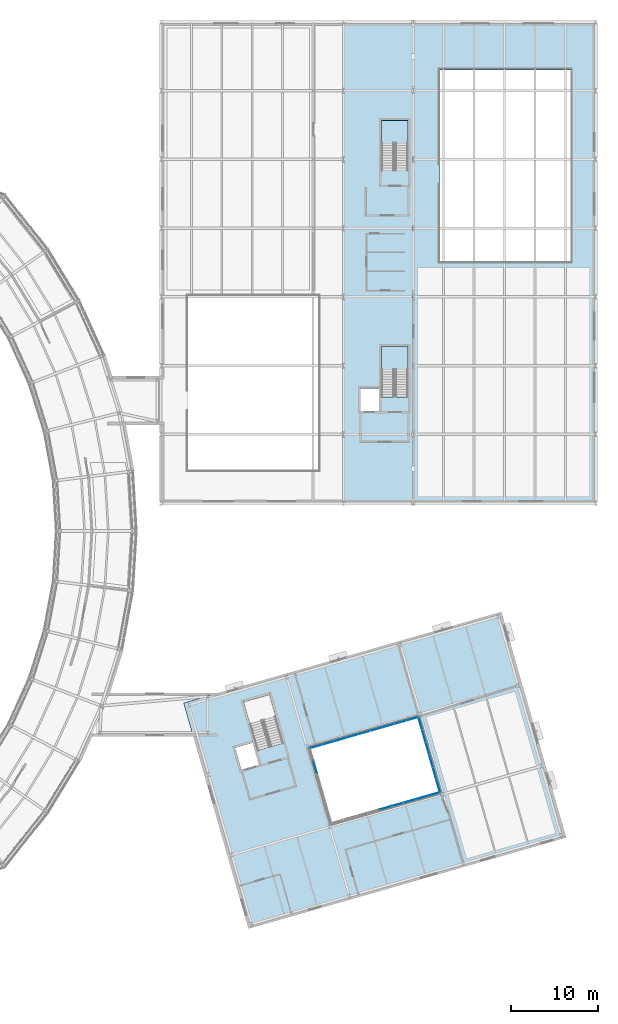
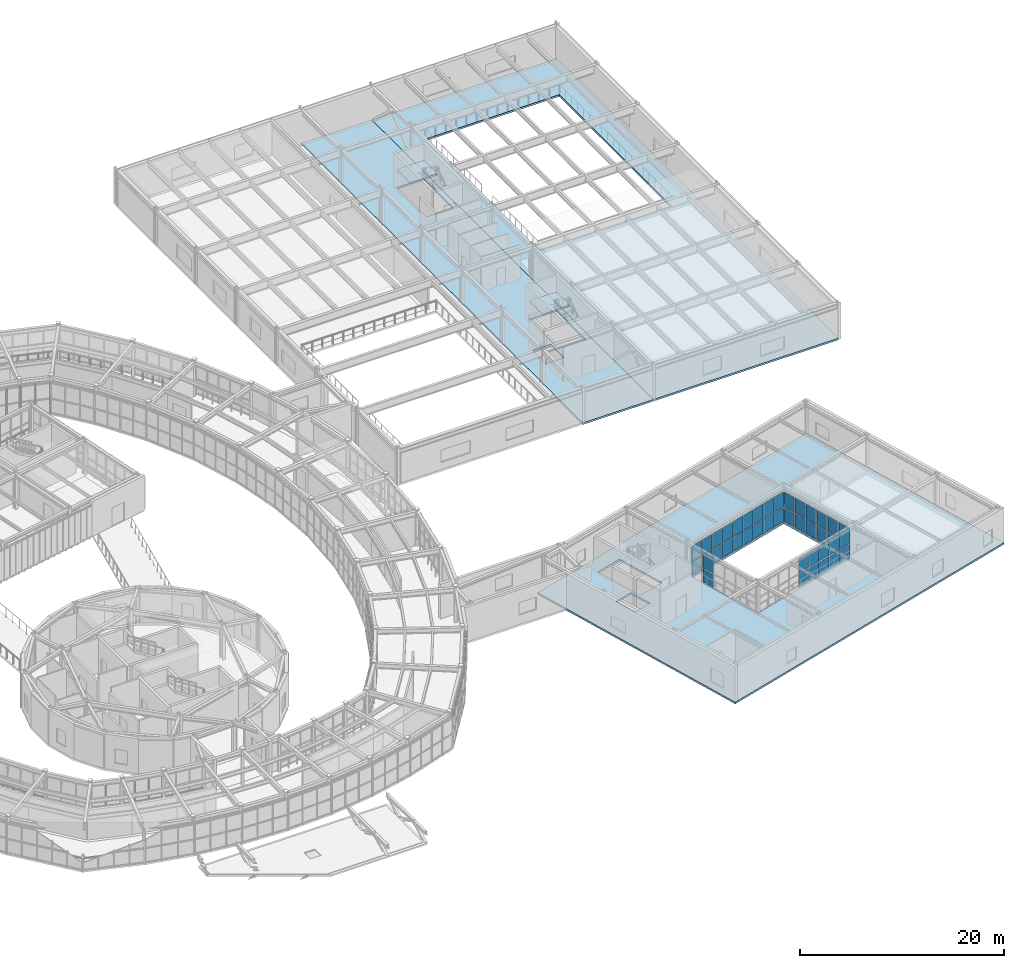
# One storey, part 68 of 103: 42 plates, 5 slabs, 6 elements without a shape of their own.
"""IFC4 building model written with IfcOpenShell, lengths in metres."""

from ifc_helpers import new_model, si_unit, direction, frame, origin, origin_2d, place, context, subcontext, project, spatial, polyline, rectangle, outline, extrude, material, layer, layer_set, type_object, element, aggregate, save


model = new_model("IFC4")

# Units and contexts
model_context = context("Model", 3, precision=1e-05, world=origin(), true_north=direction((0.0, 1.0)))
body_context = subcontext(model_context, "Body", "Model", "MODEL_VIEW")
ifc_project = project(units=[si_unit("LENGTHUNIT", "METRE"), si_unit("AREAUNIT", "SQUARE_METRE"), si_unit("VOLUMEUNIT", "CUBIC_METRE"), si_unit("PLANEANGLEUNIT", "RADIAN"), si_unit("MASSUNIT", "GRAM", prefix="KILO")], contexts=[model_context])

# Site, building, storey
site_placement = place(None, origin())
site = spatial("IfcSite", under=ifc_project, at=site_placement, CompositionType="ELEMENT")
building_placement = place(site_placement, origin())
building = spatial("IfcBuilding", under=site, at=building_placement, Name="Varnklinge Art Gallery", CompositionType="ELEMENT")
storey_placement = place(building_placement, frame((0.0, 0.0, 5.10009765625)))
storey = spatial("IfcBuildingStorey", under=building, at=storey_placement, Name="L01", CompositionType="ELEMENT", Elevation=5.10009765625)

# Curtain wall, plates
ifc_material_1 = material(Name="Anodised Aluminium", Category="aluminium")
curtain_wall_type = type_object("IfcCurtainWallType", Name="CW-C02", PredefinedType="USERDEFINED", material=ifc_material_1)
curtain_wall_1_placement = place(storey_placement, origin())
curtain_wall_1 = element("IfcCurtainWall", 1, at=curtain_wall_1_placement, inside=storey, type_object=curtain_wall_type, Name="L01 Curtain Wall CW-V6C-L01-1", ObjectType="UNITISED CURTAIN WALL", PredefinedType="USERDEFINED")
ifc_material_2 = material(Name="Insulated Low-E Triple Glazing", Category="glass")
ifc_layer_1 = layer(ifc_material_2, 0.031982421875)
ifc_layer_set_1 = layer_set([ifc_layer_1], Name="Insulated Low-E Triple Glazing")
plate_type = type_object("IfcPlateType", Name="GLZ-32", PredefinedType="CURTAIN_PANEL", material=ifc_layer_set_1)
plate_1_placement = place(storey_placement, frame((145.77978515625, 24.7626953125, 0.117919921875), z_axis=(0.0, 0.0, 1.0), x_axis=(-0.961261695938, -0.275637355817, 0.0)))
plate_1 = element("IfcPlate", 2, at=plate_1_placement, type_object=plate_type, Name="CW-V6C-L01-1 Glazing Panel 1.1", PredefinedType="CURTAIN_PANEL", context=body_context, shape_type="SweptSolid", body=[
    extrude(rectangle(XDim=1.3583984375, YDim=0.031982421875, at=origin_2d()), origin(), (0.0, 0.0, 1.0), 1.6240234375),
])
plate_2_placement = place(storey_placement, frame((145.77978515625, 24.7626953125, 1.85791015625), z_axis=(0.0, 0.0, 1.0), x_axis=(-0.961261695938, -0.275637355817, 0.0)))
plate_2 = element("IfcPlate", 3, at=plate_2_placement, type_object=plate_type, Name="CW-V6C-L01-1 Glazing Panel 1.2", PredefinedType="CURTAIN_PANEL", context=body_context, shape_type="SweptSolid", body=[
    extrude(rectangle(XDim=1.3583984375, YDim=0.031982421875, at=origin_2d()), origin(), (0.0, 0.0, 1.0), 1.77392578125),
])
plate_3_placement = place(storey_placement, frame((144.406005859375, 24.368896484375, 0.117919921875), z_axis=(0.0, 0.0, 1.0), x_axis=(-0.961261695938, -0.275637355817, 0.0)))
plate_3 = element("IfcPlate", 4, at=plate_3_placement, type_object=plate_type, Name="CW-V6C-L01-1 Glazing Panel 2.1", PredefinedType="CURTAIN_PANEL", context=body_context, shape_type="SweptSolid", body=[
    extrude(rectangle(XDim=1.388427734375, YDim=0.031982421875, at=origin_2d()), origin(), (0.0, 0.0, 1.0), 1.6240234375),
])
plate_4_placement = place(storey_placement, frame((144.406005859375, 24.368896484375, 1.85791015625), z_axis=(0.0, 0.0, 1.0), x_axis=(-0.961261695938, -0.275637355817, 0.0)))
plate_4 = element("IfcPlate", 5, at=plate_4_placement, type_object=plate_type, Name="CW-V6C-L01-1 Glazing Panel 2.2", PredefinedType="CURTAIN_PANEL", context=body_context, shape_type="SweptSolid", body=[
    extrude(rectangle(XDim=1.388427734375, YDim=0.031982421875, at=origin_2d()), origin(), (0.0, 0.0, 1.0), 1.77392578125),
])
plate_5_placement = place(storey_placement, frame((143.017333984375, 23.970703125, 0.117919921875), z_axis=(0.0, 0.0, 1.0), x_axis=(-0.961261695938, -0.275637355817, 0.0)))
plate_5 = element("IfcPlate", 6, at=plate_5_placement, type_object=plate_type, Name="CW-V6C-L01-1 Glazing Panel 3.1", PredefinedType="CURTAIN_PANEL", context=body_context, shape_type="SweptSolid", body=[
    extrude(rectangle(XDim=1.388427734375, YDim=0.031982421875, at=origin_2d()), origin(), (0.0, 0.0, 1.0), 1.6240234375),
])
plate_6_placement = place(storey_placement, frame((143.017333984375, 23.970703125, 1.85791015625), z_axis=(0.0, 0.0, 1.0), x_axis=(-0.961261695938, -0.275637355817, 0.0)))
plate_6 = element("IfcPlate", 7, at=plate_6_placement, type_object=plate_type, Name="CW-V6C-L01-1 Glazing Panel 3.2", PredefinedType="CURTAIN_PANEL", context=body_context, shape_type="SweptSolid", body=[
    extrude(rectangle(XDim=1.388427734375, YDim=0.031982421875, at=origin_2d()), origin(), (0.0, 0.0, 1.0), 1.77392578125),
])
plate_7_placement = place(storey_placement, frame((141.62890625, 23.572509765625, 0.117919921875), z_axis=(0.0, 0.0, 1.0), x_axis=(-0.961261695938, -0.275637355817, 0.0)))
plate_7 = element("IfcPlate", 8, at=plate_7_placement, type_object=plate_type, Name="CW-V6C-L01-1 Glazing Panel 4.1", PredefinedType="CURTAIN_PANEL", context=body_context, shape_type="SweptSolid", body=[
    extrude(rectangle(XDim=1.388427734375, YDim=0.031982421875, at=origin_2d()), origin(), (0.0, 0.0, 1.0), 1.6240234375),
])
plate_8_placement = place(storey_placement, frame((141.62890625, 23.572509765625, 1.85791015625), z_axis=(0.0, 0.0, 1.0), x_axis=(-0.961261695938, -0.275637355817, 0.0)))
plate_8 = element("IfcPlate", 9, at=plate_8_placement, type_object=plate_type, Name="CW-V6C-L01-1 Glazing Panel 4.2", PredefinedType="CURTAIN_PANEL", context=body_context, shape_type="SweptSolid", body=[
    extrude(rectangle(XDim=1.388427734375, YDim=0.031982421875, at=origin_2d()), origin(), (0.0, 0.0, 1.0), 1.77392578125),
])
plate_9_placement = place(storey_placement, frame((140.240478515625, 23.17431640625, 0.117919921875), z_axis=(0.0, 0.0, 1.0), x_axis=(-0.961261695938, -0.275637355817, 0.0)))
plate_9 = element("IfcPlate", 10, at=plate_9_placement, type_object=plate_type, Name="CW-V6C-L01-1 Glazing Panel 5.1", PredefinedType="CURTAIN_PANEL", context=body_context, shape_type="SweptSolid", body=[
    extrude(rectangle(XDim=1.388427734375, YDim=0.031982421875, at=origin_2d()), origin(), (0.0, 0.0, 1.0), 1.6240234375),
])
plate_10_placement = place(storey_placement, frame((140.240478515625, 23.17431640625, 1.85791015625), z_axis=(0.0, 0.0, 1.0), x_axis=(-0.961261695938, -0.275637355817, 0.0)))
plate_10 = element("IfcPlate", 11, at=plate_10_placement, type_object=plate_type, Name="CW-V6C-L01-1 Glazing Panel 5.2", PredefinedType="CURTAIN_PANEL", context=body_context, shape_type="SweptSolid", body=[
    extrude(rectangle(XDim=1.388427734375, YDim=0.031982421875, at=origin_2d()), origin(), (0.0, 0.0, 1.0), 1.77392578125),
])
aggregate(curtain_wall_1, [plate_1, plate_2, plate_3, plate_4, plate_5, plate_6, plate_7, plate_8, plate_9, plate_10])

curtain_wall_2_placement = place(storey_placement, origin())
curtain_wall_2 = element("IfcCurtainWall", 12, at=curtain_wall_2_placement, inside=storey, type_object=curtain_wall_type, Name="L01 Curtain Wall CW-V6C-L01-2", ObjectType="UNITISED CURTAIN WALL", PredefinedType="USERDEFINED")
plate_11_placement = place(storey_placement, frame((144.21875, 32.8818359375, 0.117919921875), z_axis=(0.0, 0.0, 1.0), x_axis=(0.275637355817, -0.961261695938, 0.0)))
plate_11 = element("IfcPlate", 13, at=plate_11_placement, type_object=plate_type, Name="CW-V6C-L01-2 Glazing Panel 1.1", PredefinedType="CURTAIN_PANEL", context=body_context, shape_type="SweptSolid", body=[
    extrude(rectangle(XDim=1.4140625, YDim=0.031982421875, at=origin_2d()), origin(), (0.0, 0.0, 1.0), 1.6240234375),
])
plate_12_placement = place(storey_placement, frame((144.21875, 32.8818359375, 1.85791015625), z_axis=(0.0, 0.0, 1.0), x_axis=(0.275637355817, -0.961261695938, 0.0)))
plate_12 = element("IfcPlate", 14, at=plate_12_placement, type_object=plate_type, Name="CW-V6C-L01-2 Glazing Panel 1.2", PredefinedType="CURTAIN_PANEL", context=body_context, shape_type="SweptSolid", body=[
    extrude(rectangle(XDim=1.4140625, YDim=0.031982421875, at=origin_2d()), origin(), (0.0, 0.0, 1.0), 1.77392578125),
])
plate_13_placement = place(storey_placement, frame((144.6279296875, 31.45458984375, 0.117919921875), z_axis=(0.0, 0.0, 1.0), x_axis=(0.275637355817, -0.961261695938, 0.0)))
plate_13 = element("IfcPlate", 15, at=plate_13_placement, type_object=plate_type, Name="CW-V6C-L01-2 Glazing Panel 2.1", PredefinedType="CURTAIN_PANEL", context=body_context, shape_type="SweptSolid", body=[
    extrude(rectangle(XDim=1.444091796875, YDim=0.031982421875, at=origin_2d()), origin(), (0.0, 0.0, 1.0), 1.6240234375),
])
plate_14_placement = place(storey_placement, frame((144.6279296875, 31.45458984375, 1.85791015625), z_axis=(0.0, 0.0, 1.0), x_axis=(0.275637355817, -0.961261695938, 0.0)))
plate_14 = element("IfcPlate", 16, at=plate_14_placement, type_object=plate_type, Name="CW-V6C-L01-2 Glazing Panel 2.2", PredefinedType="CURTAIN_PANEL", context=body_context, shape_type="SweptSolid", body=[
    extrude(rectangle(XDim=1.444091796875, YDim=0.031982421875, at=origin_2d()), origin(), (0.0, 0.0, 1.0), 1.77392578125),
])
plate_15_placement = place(storey_placement, frame((145.04150390625, 30.0126953125, 0.117919921875), z_axis=(0.0, 0.0, 1.0), x_axis=(0.275637355817, -0.961261695938, 0.0)))
plate_15 = element("IfcPlate", 17, at=plate_15_placement, type_object=plate_type, Name="CW-V6C-L01-2 Glazing Panel 3.1", PredefinedType="CURTAIN_PANEL", context=body_context, shape_type="SweptSolid", body=[
    extrude(rectangle(XDim=1.444091796875, YDim=0.031982421875, at=origin_2d()), origin(), (0.0, 0.0, 1.0), 1.6240234375),
])
plate_16_placement = place(storey_placement, frame((145.04150390625, 30.0126953125, 1.85791015625), z_axis=(0.0, 0.0, 1.0), x_axis=(0.275637355817, -0.961261695938, 0.0)))
plate_16 = element("IfcPlate", 18, at=plate_16_placement, type_object=plate_type, Name="CW-V6C-L01-2 Glazing Panel 3.2", PredefinedType="CURTAIN_PANEL", context=body_context, shape_type="SweptSolid", body=[
    extrude(rectangle(XDim=1.444091796875, YDim=0.031982421875, at=origin_2d()), origin(), (0.0, 0.0, 1.0), 1.77392578125),
])
plate_17_placement = place(storey_placement, frame((145.454833984375, 28.57080078125, 0.117919921875), z_axis=(0.0, 0.0, 1.0), x_axis=(0.275637355817, -0.961261695938, 0.0)))
plate_17 = element("IfcPlate", 19, at=plate_17_placement, type_object=plate_type, Name="CW-V6C-L01-2 Glazing Panel 4.1", PredefinedType="CURTAIN_PANEL", context=body_context, shape_type="SweptSolid", body=[
    extrude(rectangle(XDim=1.444091796875, YDim=0.031982421875, at=origin_2d()), origin(), (0.0, 0.0, 1.0), 1.6240234375),
])
plate_18_placement = place(storey_placement, frame((145.454833984375, 28.57080078125, 1.85791015625), z_axis=(0.0, 0.0, 1.0), x_axis=(0.275637355817, -0.961261695938, 0.0)))
plate_18 = element("IfcPlate", 20, at=plate_18_placement, type_object=plate_type, Name="CW-V6C-L01-2 Glazing Panel 4.2", PredefinedType="CURTAIN_PANEL", context=body_context, shape_type="SweptSolid", body=[
    extrude(rectangle(XDim=1.444091796875, YDim=0.031982421875, at=origin_2d()), origin(), (0.0, 0.0, 1.0), 1.77392578125),
])
plate_19_placement = place(storey_placement, frame((145.868408203125, 27.12890625, 0.117919921875), z_axis=(0.0, 0.0, 1.0), x_axis=(0.275637355817, -0.961261695938, 0.0)))
plate_19 = element("IfcPlate", 21, at=plate_19_placement, type_object=plate_type, Name="CW-V6C-L01-2 Glazing Panel 5.1", PredefinedType="CURTAIN_PANEL", context=body_context, shape_type="SweptSolid", body=[
    extrude(rectangle(XDim=1.444091796875, YDim=0.031982421875, at=origin_2d()), origin(), (0.0, 0.0, 1.0), 1.6240234375),
])
plate_20_placement = place(storey_placement, frame((145.868408203125, 27.12890625, 1.85791015625), z_axis=(0.0, 0.0, 1.0), x_axis=(0.275637355817, -0.961261695938, 0.0)))
plate_20 = element("IfcPlate", 22, at=plate_20_placement, type_object=plate_type, Name="CW-V6C-L01-2 Glazing Panel 5.2", PredefinedType="CURTAIN_PANEL", context=body_context, shape_type="SweptSolid", body=[
    extrude(rectangle(XDim=1.444091796875, YDim=0.031982421875, at=origin_2d()), origin(), (0.0, 0.0, 1.0), 1.77392578125),
])
plate_21_placement = place(storey_placement, frame((146.277587890625, 25.701416015625, 0.117919921875), z_axis=(0.0, 0.0, 1.0), x_axis=(0.275637355817, -0.961261695938, 0.0)))
plate_21 = element("IfcPlate", 23, at=plate_21_placement, type_object=plate_type, Name="CW-V6C-L01-2 Glazing Panel 6.1", PredefinedType="CURTAIN_PANEL", context=body_context, shape_type="SweptSolid", body=[
    extrude(rectangle(XDim=1.4140625, YDim=0.031982421875, at=origin_2d()), origin(), (0.0, 0.0, 1.0), 1.6240234375),
])
plate_22_placement = place(storey_placement, frame((146.277587890625, 25.701416015625, 1.85791015625), z_axis=(0.0, 0.0, 1.0), x_axis=(0.275637355817, -0.961261695938, 0.0)))
plate_22 = element("IfcPlate", 24, at=plate_22_placement, type_object=plate_type, Name="CW-V6C-L01-2 Glazing Panel 6.2", PredefinedType="CURTAIN_PANEL", context=body_context, shape_type="SweptSolid", body=[
    extrude(rectangle(XDim=1.4140625, YDim=0.031982421875, at=origin_2d()), origin(), (0.0, 0.0, 1.0), 1.77392578125),
])
aggregate(curtain_wall_2, [plate_11, plate_12, plate_13, plate_14, plate_15, plate_16, plate_17, plate_18, plate_19, plate_20, plate_21, plate_22])

curtain_wall_3_placement = place(storey_placement, origin())
curtain_wall_3 = element("IfcCurtainWall", 25, at=curtain_wall_3_placement, inside=storey, type_object=curtain_wall_type, Name="L01 Curtain Wall CW-V6C-L01-3", ObjectType="UNITISED CURTAIN WALL", PredefinedType="USERDEFINED")
plate_23_placement = place(storey_placement, frame((132.22021484375, 30.2373046875, 0.117919921875), z_axis=(0.0, 0.0, 1.0), x_axis=(0.961261695938, 0.275637355817, 0.0)))
plate_23 = element("IfcPlate", 26, at=plate_23_placement, type_object=plate_type, Name="CW-V6C-L01-3 Glazing Panel 1.1", PredefinedType="CURTAIN_PANEL", context=body_context, shape_type="SweptSolid", body=[
    extrude(rectangle(XDim=1.3583984375, YDim=0.031982421875, at=origin_2d()), origin(), (0.0, 0.0, 1.0), 1.6240234375),
])
plate_24_placement = place(storey_placement, frame((132.22021484375, 30.2373046875, 1.85791015625), z_axis=(0.0, 0.0, 1.0), x_axis=(0.961261695938, 0.275637355817, 0.0)))
plate_24 = element("IfcPlate", 27, at=plate_24_placement, type_object=plate_type, Name="CW-V6C-L01-3 Glazing Panel 1.2", PredefinedType="CURTAIN_PANEL", context=body_context, shape_type="SweptSolid", body=[
    extrude(rectangle(XDim=1.3583984375, YDim=0.031982421875, at=origin_2d()), origin(), (0.0, 0.0, 1.0), 1.77392578125),
])
plate_25_placement = place(storey_placement, frame((133.593994140625, 30.631103515625, 0.117919921875), z_axis=(0.0, 0.0, 1.0), x_axis=(0.961261695938, 0.275637355817, 0.0)))
plate_25 = element("IfcPlate", 28, at=plate_25_placement, type_object=plate_type, Name="CW-V6C-L01-3 Glazing Panel 2.1", PredefinedType="CURTAIN_PANEL", context=body_context, shape_type="SweptSolid", body=[
    extrude(rectangle(XDim=1.388427734375, YDim=0.031982421875, at=origin_2d()), origin(), (0.0, 0.0, 1.0), 1.6240234375),
])
plate_26_placement = place(storey_placement, frame((133.593994140625, 30.631103515625, 1.85791015625), z_axis=(0.0, 0.0, 1.0), x_axis=(0.961261695938, 0.275637355817, 0.0)))
plate_26 = element("IfcPlate", 29, at=plate_26_placement, type_object=plate_type, Name="CW-V6C-L01-3 Glazing Panel 2.2", PredefinedType="CURTAIN_PANEL", context=body_context, shape_type="SweptSolid", body=[
    extrude(rectangle(XDim=1.388427734375, YDim=0.031982421875, at=origin_2d()), origin(), (0.0, 0.0, 1.0), 1.77392578125),
])
plate_27_placement = place(storey_placement, frame((134.982666015625, 31.029296875, 0.117919921875), z_axis=(0.0, 0.0, 1.0), x_axis=(0.961261695938, 0.275637355817, 0.0)))
plate_27 = element("IfcPlate", 30, at=plate_27_placement, type_object=plate_type, Name="CW-V6C-L01-3 Glazing Panel 3.1", PredefinedType="CURTAIN_PANEL", context=body_context, shape_type="SweptSolid", body=[
    extrude(rectangle(XDim=1.388427734375, YDim=0.031982421875, at=origin_2d()), origin(), (0.0, 0.0, 1.0), 1.6240234375),
])
plate_28_placement = place(storey_placement, frame((134.982666015625, 31.029296875, 1.85791015625), z_axis=(0.0, 0.0, 1.0), x_axis=(0.961261695938, 0.275637355817, 0.0)))
plate_28 = element("IfcPlate", 31, at=plate_28_placement, type_object=plate_type, Name="CW-V6C-L01-3 Glazing Panel 3.2", PredefinedType="CURTAIN_PANEL", context=body_context, shape_type="SweptSolid", body=[
    extrude(rectangle(XDim=1.388427734375, YDim=0.031982421875, at=origin_2d()), origin(), (0.0, 0.0, 1.0), 1.77392578125),
])
plate_29_placement = place(storey_placement, frame((136.37109375, 31.427490234375, 0.117919921875), z_axis=(0.0, 0.0, 1.0), x_axis=(0.961261695938, 0.275637355817, 0.0)))
plate_29 = element("IfcPlate", 32, at=plate_29_placement, type_object=plate_type, Name="CW-V6C-L01-3 Glazing Panel 4.1", PredefinedType="CURTAIN_PANEL", context=body_context, shape_type="SweptSolid", body=[
    extrude(rectangle(XDim=1.388427734375, YDim=0.031982421875, at=origin_2d()), origin(), (0.0, 0.0, 1.0), 1.6240234375),
])
plate_30_placement = place(storey_placement, frame((136.37109375, 31.427490234375, 1.85791015625), z_axis=(0.0, 0.0, 1.0), x_axis=(0.961261695938, 0.275637355817, 0.0)))
plate_30 = element("IfcPlate", 33, at=plate_30_placement, type_object=plate_type, Name="CW-V6C-L01-3 Glazing Panel 4.2", PredefinedType="CURTAIN_PANEL", context=body_context, shape_type="SweptSolid", body=[
    extrude(rectangle(XDim=1.388427734375, YDim=0.031982421875, at=origin_2d()), origin(), (0.0, 0.0, 1.0), 1.77392578125),
])
plate_31_placement = place(storey_placement, frame((137.759521484375, 31.82568359375, 0.117919921875), z_axis=(0.0, 0.0, 1.0), x_axis=(0.961261695938, 0.275637355817, 0.0)))
plate_31 = element("IfcPlate", 34, at=plate_31_placement, type_object=plate_type, Name="CW-V6C-L01-3 Glazing Panel 5.1", PredefinedType="CURTAIN_PANEL", context=body_context, shape_type="SweptSolid", body=[
    extrude(rectangle(XDim=1.388427734375, YDim=0.031982421875, at=origin_2d()), origin(), (0.0, 0.0, 1.0), 1.6240234375),
])
plate_32_placement = place(storey_placement, frame((137.759521484375, 31.82568359375, 1.85791015625), z_axis=(0.0, 0.0, 1.0), x_axis=(0.961261695938, 0.275637355817, 0.0)))
plate_32 = element("IfcPlate", 35, at=plate_32_placement, type_object=plate_type, Name="CW-V6C-L01-3 Glazing Panel 5.2", PredefinedType="CURTAIN_PANEL", context=body_context, shape_type="SweptSolid", body=[
    extrude(rectangle(XDim=1.388427734375, YDim=0.031982421875, at=origin_2d()), origin(), (0.0, 0.0, 1.0), 1.77392578125),
])
plate_33_placement = place(storey_placement, frame((139.148193359375, 32.223876953125, 0.117919921875), z_axis=(0.0, 0.0, 1.0), x_axis=(0.961261695938, 0.275637355817, 0.0)))
plate_33 = element("IfcPlate", 36, at=plate_33_placement, type_object=plate_type, Name="CW-V6C-L01-3 Glazing Panel 6.1", PredefinedType="CURTAIN_PANEL", context=body_context, shape_type="SweptSolid", body=[
    extrude(rectangle(XDim=1.388427734375, YDim=0.031982421875, at=origin_2d()), origin(), (0.0, 0.0, 1.0), 1.6240234375),
])
plate_34_placement = place(storey_placement, frame((139.148193359375, 32.223876953125, 1.85791015625), z_axis=(0.0, 0.0, 1.0), x_axis=(0.961261695938, 0.275637355817, 0.0)))
plate_34 = element("IfcPlate", 37, at=plate_34_placement, type_object=plate_type, Name="CW-V6C-L01-3 Glazing Panel 6.2", PredefinedType="CURTAIN_PANEL", context=body_context, shape_type="SweptSolid", body=[
    extrude(rectangle(XDim=1.388427734375, YDim=0.031982421875, at=origin_2d()), origin(), (0.0, 0.0, 1.0), 1.77392578125),
])
plate_35_placement = place(storey_placement, frame((140.53662109375, 32.621826171875, 0.117919921875), z_axis=(0.0, 0.0, 1.0), x_axis=(0.961261695938, 0.275637355817, 0.0)))
plate_35 = element("IfcPlate", 38, at=plate_35_placement, type_object=plate_type, Name="CW-V6C-L01-3 Glazing Panel 7.1", PredefinedType="CURTAIN_PANEL", context=body_context, shape_type="SweptSolid", body=[
    extrude(rectangle(XDim=1.388427734375, YDim=0.031982421875, at=origin_2d()), origin(), (0.0, 0.0, 1.0), 1.6240234375),
])
plate_36_placement = place(storey_placement, frame((140.53662109375, 32.621826171875, 1.85791015625), z_axis=(0.0, 0.0, 1.0), x_axis=(0.961261695938, 0.275637355817, 0.0)))
plate_36 = element("IfcPlate", 39, at=plate_36_placement, type_object=plate_type, Name="CW-V6C-L01-3 Glazing Panel 7.2", PredefinedType="CURTAIN_PANEL", context=body_context, shape_type="SweptSolid", body=[
    extrude(rectangle(XDim=1.388427734375, YDim=0.031982421875, at=origin_2d()), origin(), (0.0, 0.0, 1.0), 1.77392578125),
])
plate_37_placement = place(storey_placement, frame((141.925048828125, 33.02001953125, 0.117919921875), z_axis=(0.0, 0.0, 1.0), x_axis=(0.961261695938, 0.275637355817, 0.0)))
plate_37 = element("IfcPlate", 40, at=plate_37_placement, type_object=plate_type, Name="CW-V6C-L01-3 Glazing Panel 8.1", PredefinedType="CURTAIN_PANEL", context=body_context, shape_type="SweptSolid", body=[
    extrude(rectangle(XDim=1.388427734375, YDim=0.031982421875, at=origin_2d()), origin(), (0.0, 0.0, 1.0), 1.6240234375),
])
plate_38_placement = place(storey_placement, frame((141.925048828125, 33.02001953125, 1.85791015625), z_axis=(0.0, 0.0, 1.0), x_axis=(0.961261695938, 0.275637355817, 0.0)))
plate_38 = element("IfcPlate", 41, at=plate_38_placement, type_object=plate_type, Name="CW-V6C-L01-3 Glazing Panel 8.2", PredefinedType="CURTAIN_PANEL", context=body_context, shape_type="SweptSolid", body=[
    extrude(rectangle(XDim=1.388427734375, YDim=0.031982421875, at=origin_2d()), origin(), (0.0, 0.0, 1.0), 1.77392578125),
])
plate_39_placement = place(storey_placement, frame((143.299072265625, 33.4140625, 0.117919921875), z_axis=(0.0, 0.0, 1.0), x_axis=(0.961261695938, 0.275637355817, 0.0)))
plate_39 = element("IfcPlate", 42, at=plate_39_placement, type_object=plate_type, Name="CW-V6C-L01-3 Glazing Panel 9.1", PredefinedType="CURTAIN_PANEL", context=body_context, shape_type="SweptSolid", body=[
    extrude(rectangle(XDim=1.3583984375, YDim=0.031982421875, at=origin_2d()), origin(), (0.0, 0.0, 1.0), 1.6240234375),
])
plate_40_placement = place(storey_placement, frame((143.299072265625, 33.4140625, 1.85791015625), z_axis=(0.0, 0.0, 1.0), x_axis=(0.961261695938, 0.275637355817, 0.0)))
plate_40 = element("IfcPlate", 43, at=plate_40_placement, type_object=plate_type, Name="CW-V6C-L01-3 Glazing Panel 9.2", PredefinedType="CURTAIN_PANEL", context=body_context, shape_type="SweptSolid", body=[
    extrude(rectangle(XDim=1.3583984375, YDim=0.031982421875, at=origin_2d()), origin(), (0.0, 0.0, 1.0), 1.77392578125),
])
aggregate(curtain_wall_3, [plate_23, plate_24, plate_25, plate_26, plate_27, plate_28, plate_29, plate_30, plate_31, plate_32, plate_33, plate_34, plate_35, plate_36, plate_37, plate_38, plate_39, plate_40])

curtain_wall_4_placement = place(storey_placement, origin())
curtain_wall_4 = element("IfcCurtainWall", 44, at=curtain_wall_4_placement, inside=storey, type_object=curtain_wall_type, Name="L01 Curtain Wall CW-V6C-L01-4", ObjectType="UNITISED CURTAIN WALL", PredefinedType="USERDEFINED")
plate_41_placement = place(storey_placement, frame((132.131591796875, 27.87109375, 0.117919921875), z_axis=(0.0, 0.0, 1.0), x_axis=(-0.275637355817, 0.961261695938, 0.0)))
plate_41 = element("IfcPlate", 45, at=plate_41_placement, type_object=plate_type, Name="CW-V6C-L01-4 Glazing Panel 5.1", PredefinedType="CURTAIN_PANEL", context=body_context, shape_type="SweptSolid", body=[
    extrude(rectangle(XDim=1.444091796875, YDim=0.031982421875, at=origin_2d()), origin(), (0.0, 0.0, 1.0), 1.6240234375),
])
plate_42_placement = place(storey_placement, frame((132.131591796875, 27.87109375, 1.85791015625), z_axis=(0.0, 0.0, 1.0), x_axis=(-0.275637355817, 0.961261695938, 0.0)))
plate_42 = element("IfcPlate", 46, at=plate_42_placement, type_object=plate_type, Name="CW-V6C-L01-4 Glazing Panel 5.2", PredefinedType="CURTAIN_PANEL", context=body_context, shape_type="SweptSolid", body=[
    extrude(rectangle(XDim=1.444091796875, YDim=0.031982421875, at=origin_2d()), origin(), (0.0, 0.0, 1.0), 1.77392578125),
])
aggregate(curtain_wall_4, [plate_41, plate_42])

# Slabs
ifc_material_3 = material(Name="Concrete C35/45", Category="concrete")
ifc_layer_2 = layer(ifc_material_3, 0.219970703125)
ifc_layer_set_2 = layer_set([ifc_layer_2], Name="Concrete C35/45")
slab_type_1 = type_object("IfcSlabType", Name="SLB-F22", PredefinedType="FLOOR", material=ifc_layer_set_2)
slab_1_placement = place(storey_placement, frame((0.0, 0.0, -0.22021484375)))
element("IfcSlab", 47, at=slab_1_placement, inside=storey, type_object=slab_type_1, Name="L01 Shell Hall S Floor Slab", PredefinedType="FLOOR", context=body_context, shape_type="SweptSolid", body=[
    extrude(outline(polyline([(143.39990234375, 113.5), (135.39990234375, 113.5), (135.39990234375, 58.199951171875), (143.39990234375, 58.199951171875), (143.39990234375, 113.5)]), holes=[polyline([(139.43994140625, 68.800048828125), (137.340087890625, 68.800048828125), (137.340087890625, 71.39990234375), (139.43994140625, 71.39990234375), (139.43994140625, 68.800048828125)]), polyline([(139.739990234375, 76.199951171875), (142.800048828125, 76.199951171875), (142.800048828125, 70.425048828125), (139.739990234375, 70.425048828125), (139.739990234375, 76.199951171875)]), polyline([(142.800048828125, 102.199951171875), (142.800048828125, 96.425048828125), (139.739990234375, 96.425048828125), (139.739990234375, 102.199951171875), (142.800048828125, 102.199951171875)])]), origin(), (0.0, 0.0, 1.0), 0.22021484375),
])
slab_2_placement = place(storey_placement, frame((0.0, 0.0, -0.22021484375)))
element("IfcSlab", 48, at=slab_2_placement, inside=storey, type_object=slab_type_1, Name="L01 Shell Hall E Floor Slab", PredefinedType="FLOOR", context=body_context, shape_type="SweptSolid", body=[
    extrude(outline(polyline([(143.39990234375, 58.199951171875), (164.39990234375, 58.199951171875), (164.39990234375, 113.5), (143.39990234375, 113.5), (143.39990234375, 58.199951171875)]), holes=[polyline([(146.5, 108.0), (161.5, 108.0), (161.5, 86.0), (146.5, 86.0), (146.5, 108.0)])]), origin(), (0.0, 0.0, 1.0), 0.22021484375),
])
slab_3_placement = place(storey_placement, frame((0.0, 0.0, -0.22021484375)))
element("IfcSlab", 49, at=slab_3_placement, inside=storey, type_object=slab_type_1, Name="L01 Artists Studios Courtyard Wing Slab", PredefinedType="FLOOR", context=body_context, shape_type="SweptSolid", body=[
    extrude(outline(polyline([(153.54296875, 45.714111328125), (117.014892578125, 35.239990234375), (124.45703125, 9.285888671875), (160.985107421875, 19.760009765625), (153.54296875, 45.714111328125)]), holes=[polyline([(133.9921875, 21.3828125), (131.511474609375, 30.033935546875), (144.0078125, 33.6171875), (146.488525390625, 24.966064453125), (133.9921875, 21.3828125)]), polyline([(122.9384765625, 30.064453125), (124.95703125, 30.643310546875), (125.673828125, 28.14404296875), (123.6552734375, 27.565185546875), (122.9384765625, 30.064453125)]), polyline([(126.864013671875, 36.18359375), (128.455810546875, 30.632080078125), (125.51416015625, 29.788818359375), (123.92236328125, 35.340087890625), (126.864013671875, 36.18359375)])]), origin(), (0.0, 0.0, 1.0), 0.22021484375),
])

# Stair, slab
ifc_material_4 = material(Name="Concrete C40/50", Category="concrete")
stair_type = type_object("IfcStairType", Name="STR-C4420", PredefinedType="HALF_TURN_STAIR", material=ifc_material_4)
stair_1_placement = place(storey_placement, origin())
stair_1 = element("IfcStair", 50, at=stair_1_placement, inside=storey, type_object=stair_type, Name="L01 Core C3 Stair ST-03", PredefinedType="HALF_TURN_STAIR")
ifc_material_5 = material(Name="Concrete C40/50", Category="concrete")
ifc_layer_3 = layer(ifc_material_5, 0.199951171875)
ifc_layer_set_3 = layer_set([ifc_layer_3], Name="Concrete C40/50")
slab_type_2 = type_object("IfcSlabType", Name="SLB-LND20", PredefinedType="LANDING", material=ifc_layer_set_3)
slab_4_placement = place(storey_placement, frame((0.0, 0.0, 2.010009765625)))
slab_4 = element("IfcSlab", 51, at=slab_4_placement, type_object=slab_type_2, Name="ST-03 landing 1", PredefinedType="LANDING", context=body_context, shape_type="SweptSolid", body=[
    extrude(outline(polyline([(142.800048828125, 73.56005859375), (142.800048828125, 76.199951171875), (139.739990234375, 76.199951171875), (139.739990234375, 73.56005859375), (142.800048828125, 73.56005859375)])), origin(), (0.0, 0.0, 1.0), 0.199951171875),
])
aggregate(stair_1, [slab_4])

stair_2_placement = place(storey_placement, origin())
stair_2 = element("IfcStair", 52, at=stair_2_placement, inside=storey, type_object=stair_type, Name="L01 Core C7 Stair ST-07", PredefinedType="HALF_TURN_STAIR")
slab_5_placement = place(storey_placement, frame((0.0, 0.0, 2.010009765625)))
slab_5 = element("IfcSlab", 53, at=slab_5_placement, type_object=slab_type_2, Name="ST-07 landing 1", PredefinedType="LANDING", context=body_context, shape_type="SweptSolid", body=[
    extrude(outline(polyline([(142.800048828125, 99.56005859375), (142.800048828125, 102.199951171875), (139.739990234375, 102.199951171875), (139.739990234375, 99.56005859375), (142.800048828125, 99.56005859375)])), origin(), (0.0, 0.0, 1.0), 0.199951171875),
])
aggregate(stair_2, [slab_5])

save(model, "model.ifc")
